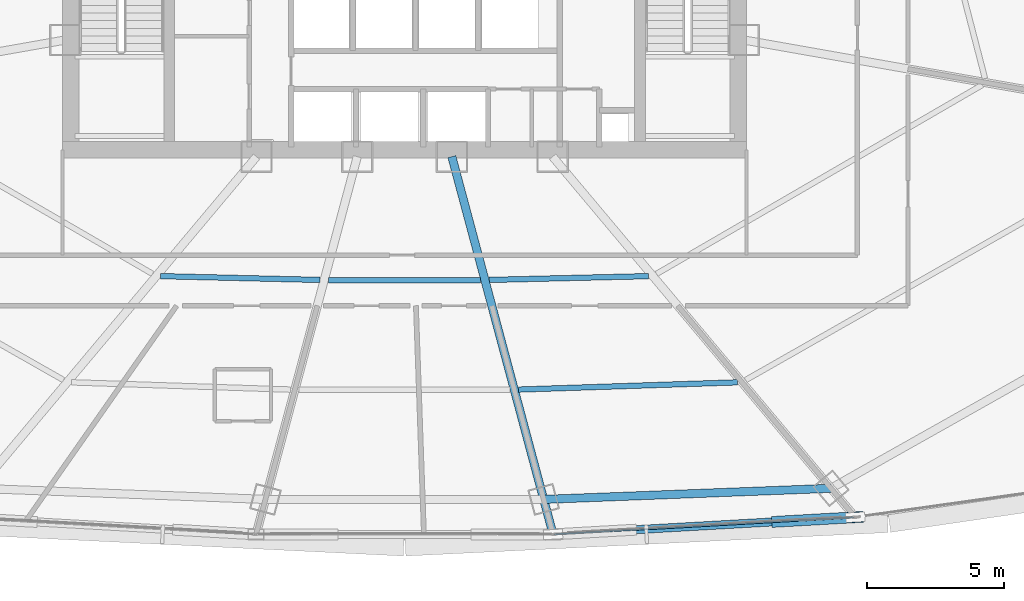
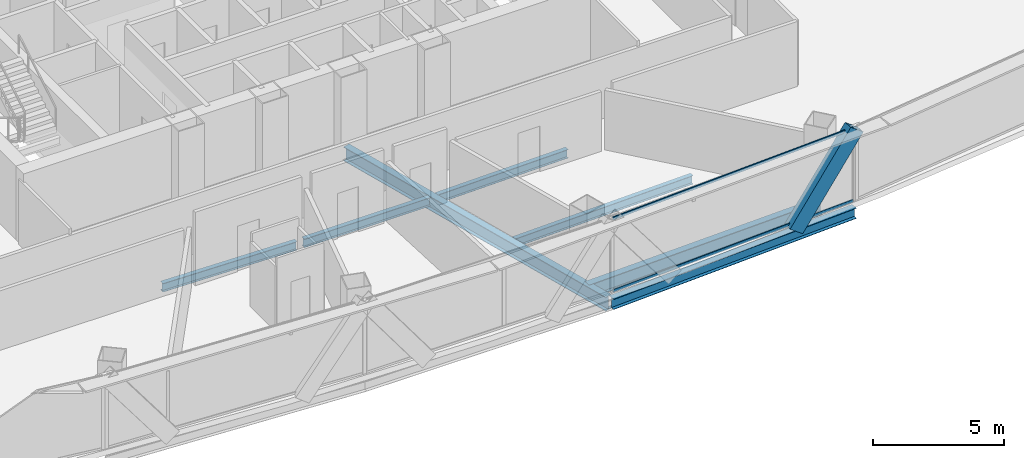
# One storey, part 13 of 41: 7 beams, 3 members, 1 element without a shape of its own.
"""IFC4 building model written with IfcOpenShell, lengths in metres."""

import ifcopenshell
import ifcopenshell.guid

model = None  # the IFC model being written
_history = None  # IfcOwnerHistory: only IFC2X3 demands one
_inside = {}  # id of a spatial element -> (the spatial element, [elements in it])
_under = {}  # id of a project, library or spatial element -> (it, [spatial elements below it])
_declared = {}  # id of a project -> (the project, [libraries it declares])
_typed = {}  # id of a type object -> (the type object, [elements of that type])
_made_of = {}  # id of a material, layer set ... -> (it, [elements and type objects made of it])


def new_model(schema):
    """Start an empty IFC model of exactly this schema.

    Asked for "IFC4X3", IfcOpenShell would pick the latest addendum, in which some entities
    have other attributes; the version numbers below select the first issue.
    IFC2X3 requires an IfcOwnerHistory on every rooted entity: one is made here for all.
    """
    global model, _history
    if schema == "IFC4X3":
        model = ifcopenshell.file(schema_version=(4, 3, 0, 0))
    else:
        model = ifcopenshell.file(schema=schema)
    _inside.clear()
    _under.clear()
    _declared.clear()
    _typed.clear()
    _made_of.clear()
    _history = None
    if model.schema == "IFC2X3":
        org = make("IfcOrganization", Name="unknown")
        user = make(
            "IfcPersonAndOrganization",
            ThePerson=make("IfcPerson", FamilyName="unknown"),
            TheOrganization=org,
        )
        app = make(
            "IfcApplication",
            ApplicationDeveloper=org,
            Version="unknown",
            ApplicationFullName="unknown",
            ApplicationIdentifier="unknown",
        )
        _history = make(
            "IfcOwnerHistory",
            OwningUser=user,
            OwningApplication=app,
            ChangeAction="ADDED",
            CreationDate=0,
        )
    return model


def make(cls, **values):
    """One entity of the class cls with the attributes given. An attribute that is None is left unset."""
    return model.create_entity(
        cls, **{name: value for name, value in values.items() if value is not None}
    )


def rooted(cls, **values):
    """An entity with a GlobalId (a new one), such as an element, a storey or a relation."""
    return make(cls, GlobalId=ifcopenshell.guid.new(), OwnerHistory=_history, **values)


def si_unit(unit_type, name, prefix=None):
    """IfcSIUnit, for example si_unit("LENGTHUNIT", "METRE", prefix="MILLI")."""
    return make("IfcSIUnit", UnitType=unit_type, Prefix=prefix, Name=name)


def assignment(units):
    """IfcUnitAssignment: the units of a project."""
    return None if units is None else make("IfcUnitAssignment", Units=units)


def point(xyz):
    """IfcCartesianPoint."""
    return None if xyz is None else make("IfcCartesianPoint", Coordinates=xyz)


def direction(xyz):
    """IfcDirection."""
    return None if xyz is None else make("IfcDirection", DirectionRatios=xyz)


def frame(location, z_axis=None, x_axis=None):
    """IfcAxis2Placement3D, a coordinate frame: its origin and axes. An axis left out is left unset."""
    return make(
        "IfcAxis2Placement3D",
        Location=point(location),
        Axis=direction(z_axis),
        RefDirection=direction(x_axis),
    )


def frame_2d(location, x_axis=None):
    """IfcAxis2Placement2D, a coordinate frame in the plane: its origin and x axis."""
    return make(
        "IfcAxis2Placement2D", Location=point(location), RefDirection=direction(x_axis)
    )


def origin():
    """The frame at (0, 0, 0) with its axes left unset."""
    return frame((0.0, 0.0, 0.0))


def origin_2d():
    """The frame at (0, 0) in the plane with its x axis left unset."""
    return frame_2d((0.0, 0.0))


def place(relative_to, where):
    """IfcLocalPlacement: puts the frame where relative to a parent placement (None: the world)."""
    return make(
        "IfcLocalPlacement", PlacementRelTo=relative_to, RelativePlacement=where
    )


def context(
    kind, dimensions, precision=None, world=None, true_north=None, identifier=None
):
    """IfcGeometricRepresentationContext, for example the 3D "Model" context."""
    return make(
        "IfcGeometricRepresentationContext",
        ContextIdentifier=identifier,
        ContextType=kind,
        CoordinateSpaceDimension=dimensions,
        Precision=precision,
        WorldCoordinateSystem=world,
        TrueNorth=true_north,
    )


def subcontext(parent, identifier, kind, view, scale=None):
    """IfcGeometricRepresentationSubContext, for example "Body" below "Model"."""
    return make(
        "IfcGeometricRepresentationSubContext",
        ContextIdentifier=identifier,
        ContextType=kind,
        ParentContext=parent,
        TargetScale=scale,
        TargetView=view,
    )


def project(units=None, contexts=None):
    """IfcProject with its units and contexts."""
    return rooted(
        "IfcProject",
        Name="project",
        RepresentationContexts=contexts,
        UnitsInContext=assignment(units),
    )


def spatial(cls, under=None, at=None, **own):
    """A site, building, storey or space (cls), placed at a placement, below another one or the project."""
    s = rooted(cls, ObjectPlacement=at, **own)
    if under is not None:
        _under.setdefault(under.id(), (under, []))[1].append(s)
    return s


def profile(cls, at=None, kind="AREA", **sizes):
    """A parametric profile (cls). Its sizes go by their IFC names, for example OverallWidth=200.0."""
    return make(cls, ProfileType=kind, Position=at, **sizes)


def hollow_rectangle(**sizes):
    """IfcRectangleHollowProfileDef."""
    return profile("IfcRectangleHollowProfileDef", **sizes)


def i_section(**sizes):
    """IfcIShapeProfileDef."""
    return profile("IfcIShapeProfileDef", **sizes)


def extrude(swept, where, along, depth):
    """IfcExtrudedAreaSolid: the profile swept, set in the frame where, extruded along a direction by depth."""
    return make(
        "IfcExtrudedAreaSolid",
        SweptArea=swept,
        Position=where,
        ExtrudedDirection=direction(along),
        Depth=depth,
    )


def shape(context_of_items, identifier, shape_type, items):
    """IfcShapeRepresentation: the items that make up one representation, for example the "Body"."""
    return make(
        "IfcShapeRepresentation",
        ContextOfItems=context_of_items,
        RepresentationIdentifier=identifier,
        RepresentationType=shape_type,
        Items=items,
    )


def source(mapping_origin, context_of_items, identifier, shape_type, items):
    """IfcRepresentationMap: a shape defined once, which mapped items show again and again."""
    return make(
        "IfcRepresentationMap",
        MappingOrigin=mapping_origin,
        MappedRepresentation=shape(context_of_items, identifier, shape_type, items),
    )


def transform(
    local_origin,
    x_axis=None,
    y_axis=None,
    z_axis=None,
    scale=None,
    scale2=None,
    scale3=None,
    uniform=True,
):
    """IfcCartesianTransformationOperator3D, or its non-uniform kind. x_axis, y_axis, z_axis: its Axis1, 2, 3."""
    if uniform:
        return make(
            "IfcCartesianTransformationOperator3D",
            Axis1=direction(x_axis),
            Axis2=direction(y_axis),
            LocalOrigin=point(local_origin),
            Scale=scale,
            Axis3=direction(z_axis),
        )
    return make(
        "IfcCartesianTransformationOperator3DnonUniform",
        Axis1=direction(x_axis),
        Axis2=direction(y_axis),
        LocalOrigin=point(local_origin),
        Scale=scale,
        Axis3=direction(z_axis),
        Scale2=scale2,
        Scale3=scale3,
    )


def mapped(mapping_source, mapping_target):
    """IfcMappedItem: shows the shape of a source again, moved by a transform."""
    return make(
        "IfcMappedItem", MappingSource=mapping_source, MappingTarget=mapping_target
    )


def material(Name=None, Category=None):
    """IfcMaterial."""
    return make("IfcMaterial", Name=Name, Category=Category)


def layer(
    of_material, thickness, ventilated=None, Name=None, Category=None, Priority=None
):
    """IfcMaterialLayer: one layer of a wall or slab, of a material (None: an air gap)."""
    return make(
        "IfcMaterialLayer",
        Material=of_material,
        LayerThickness=thickness,
        IsVentilated=ventilated,
        Name=Name,
        Category=Category,
        Priority=Priority,
    )


def layer_set(layers, Name=None):
    """IfcMaterialLayerSet."""
    return make("IfcMaterialLayerSet", MaterialLayers=layers, LayerSetName=Name)


def material_profile(
    of_material, cross_section, Name=None, Category=None, Priority=None
):
    """IfcMaterialProfile: a cross section and its material."""
    return make(
        "IfcMaterialProfile",
        Name=Name,
        Material=of_material,
        Profile=cross_section,
        Priority=Priority,
        Category=Category,
    )


def profile_set(profiles, Name=None, composite=None):
    """IfcMaterialProfileSet."""
    return make(
        "IfcMaterialProfileSet",
        Name=Name,
        MaterialProfiles=profiles,
        CompositeProfile=composite,
    )


def made_of(thing, what):
    """Note that an element or type object is made of a material, layer set ...; save() writes the relation."""
    if what is not None:
        _made_of.setdefault(what.id(), (what, []))[1].append(thing)
    return thing


def type_object(cls, material=None, **own):
    """A type object (cls), such as IfcWallType, which elements share."""
    return made_of(rooted(cls, **own), material)


def element(
    cls,
    number,
    at=None,
    inside=None,
    cuts=None,
    type_object=None,
    material=None,
    context=None,
    identifier="Body",
    shape_type=None,
    held_by="IfcProductDefinitionShape",
    body=None,
    shapes=None,
    **own,
):
    """One element of the class cls, such as IfcWall. Its Tag is "e" and its number.

    at: its placement. inside: the storey or other place that contains it. cuts: it is an
    opening in that element (IfcRelVoidsElement). A single representation is given by context,
    identifier, shape_type and body (its items); several are given by shapes. held_by: the class
    of the entity that holds the representations. save() writes the other relations.
    """
    e = rooted(cls, Tag="e%d" % number, ObjectPlacement=at, **own)
    if body is not None:
        shapes = [shape(context, identifier, shape_type, body)]
    if shapes is not None:
        e.Representation = make(held_by, Representations=shapes)
    if inside is not None:
        _inside.setdefault(inside.id(), (inside, []))[1].append(e)
    if cuts is not None:
        rooted(
            "IfcRelVoidsElement", RelatingBuildingElement=cuts, RelatedOpeningElement=e
        )
    if type_object is not None:
        _typed.setdefault(type_object.id(), (type_object, []))[1].append(e)
    return made_of(e, material)


def aggregate(whole, parts):
    """IfcRelAggregates: a whole, such as a stair, and the parts it consists of."""
    return rooted("IfcRelAggregates", RelatingObject=whole, RelatedObjects=parts)


def save(model, path):
    """Write the relations noted so far, then the file.

    IfcRelAggregates (storeys below a building ...), IfcRelContainedInSpatialStructure (elements
    in a storey), IfcRelDefinesByType, IfcRelAssociatesMaterial and IfcRelDeclares: one each for
    every whole, place, type object, material and project.
    """
    for whole, parts in _under.values():
        aggregate(whole, parts)
    for where, things in _inside.values():
        rooted(
            "IfcRelContainedInSpatialStructure",
            RelatedElements=things,
            RelatingStructure=where,
        )
    for kind, things in _typed.values():
        rooted("IfcRelDefinesByType", RelatedObjects=things, RelatingType=kind)
    for what, things in _made_of.values():
        rooted("IfcRelAssociatesMaterial", RelatedObjects=things, RelatingMaterial=what)
    for by, libraries in _declared.values():
        rooted("IfcRelDeclares", RelatingContext=by, RelatedDefinitions=libraries)
    model.write(path)


model = new_model("IFC4")

# Units and contexts
model_context = context("Model", 3, precision=1e-05, world=origin(), true_north=direction((0.0, 1.0)))
body_context = subcontext(model_context, "Body", "Model", "MODEL_VIEW")
ifc_project = project(units=[si_unit("LENGTHUNIT", "METRE"), si_unit("AREAUNIT", "SQUARE_METRE"), si_unit("VOLUMEUNIT", "CUBIC_METRE"), si_unit("PLANEANGLEUNIT", "RADIAN"), si_unit("MASSUNIT", "GRAM", prefix="KILO"), si_unit("THERMODYNAMICTEMPERATUREUNIT", "KELVIN"), si_unit("POWERUNIT", "WATT")], contexts=[model_context])

# Site, building, storey
site_placement = place(None, origin())
site = spatial("IfcSite", under=ifc_project, at=site_placement, CompositionType="ELEMENT")
building_placement = place(site_placement, origin())
building = spatial("IfcBuilding", under=site, at=building_placement, Name="Yunzhuo Pagoda Commons", CompositionType="ELEMENT")
storey_placement = place(building_placement, frame((0.0, 0.0, 155.590087890625)))
storey = spatial("IfcBuildingStorey", under=building, at=storey_placement, Name="L39", CompositionType="ELEMENT", Elevation=155.590087890625)

# Beams
ifc_material_1 = material(Name="Structural steel Q355B", Category="steel")
ifc_material_profile_1 = material_profile(ifc_material_1, i_section(OverallWidth=0.300048828125, OverallDepth=0.64990234375, WebThickness=0.012939453125, FlangeThickness=0.02197265625, at=origin_2d()), Name="Structural steel Q355B")
ifc_profile_set_1 = profile_set([ifc_material_profile_1], Name="Structural steel Q355B")
beam_type_1 = type_object("IfcBeamType", Name="B-RG2 Beam HN 650x300x13x22", PredefinedType="BEAM", material=ifc_profile_set_1)
shared_shape_1 = source(origin(), body_context, "Body", "SweptSolid", [
    extrude(i_section(OverallWidth=0.300048828125, OverallDepth=0.64990234375, WebThickness=0.012939453125, FlangeThickness=0.02197265625, at=origin_2d()), origin(), (0.0, 0.0, 1.0), 10.5078125),
])
beam_1_placement = place(storey_placement, frame((53.085205078125, 14.7216796875, -0.585205078125), z_axis=(0.999258632812, 0.03849915259, 0.0), x_axis=(-0.03849915259, 0.999258632812, 0.0)))
element("IfcBeam", 1, at=beam_1_placement, inside=storey, type_object=beam_type_1, Name="L39 column-ring beam 3", PredefinedType="BEAM", context=body_context, shape_type="MappedRepresentation", body=[
    mapped(shared_shape_1, transform((0.0, 0.0, 0.0), scale=1.0)),
])
ifc_material_profile_2 = material_profile(ifc_material_1, i_section(OverallWidth=0.199951171875, OverallDepth=0.39990234375, WebThickness=0.008056640625, FlangeThickness=0.012939453125, at=origin_2d()), Name="Structural steel Q355B")
ifc_profile_set_2 = profile_set([ifc_material_profile_2], Name="Structural steel Q355B")
beam_type_2 = type_object("IfcBeamType", Name="B-JS1 Joist HN 400x200x8x13", PredefinedType="JOIST", material=ifc_profile_set_2)
shared_shape_2 = source(origin(), body_context, "Body", "SweptSolid", [
    extrude(i_section(OverallWidth=0.199951171875, OverallDepth=0.39990234375, WebThickness=0.008056640625, FlangeThickness=0.012939453125, at=origin_2d()), origin(), (0.0, 0.0, 1.0), 5.821533203125),
])
for number, where, z_axis, x_axis, name in (
    (2, (39.08447265625, 22.881591796875, -0.460205078125), (0.999718239795, -0.023736912649, 0.0), (0.023736912649, 0.999718239795, 0.0), "L39 composite ring joist 1.1"),
    (3, (51.095703125, 22.743408203125, -0.460205078125), (0.999718239795, 0.023736912649, 0.0), (-0.023736912649, 0.999718239795, 0.0), "L39 composite ring joist 1.3"),
):
    element("IfcBeam", number, at=place(storey_placement, frame(where, z_axis=z_axis, x_axis=x_axis)), inside=storey, type_object=beam_type_2, Name=name, PredefinedType="JOIST", context=body_context, shape_type="MappedRepresentation", body=[
        mapped(shared_shape_2, transform((0.0, 0.0, 0.0), scale=1.0)),
    ])
shared_shape_3 = source(origin(), body_context, "Body", "SweptSolid", [
    extrude(i_section(OverallWidth=0.199951171875, OverallDepth=0.39990234375, WebThickness=0.008056640625, FlangeThickness=0.012939453125, at=origin_2d()), origin(), (0.0, 0.0, 1.0), 8.00537109375),
])
beam_2_placement = place(storey_placement, frame((52.169921875, 18.73583984375, -0.460205078125), z_axis=(0.999453403952, 0.033058937199, 0.0), x_axis=(-0.033058937199, 0.999453403952, 0.0)))
element("IfcBeam", 4, at=beam_2_placement, inside=storey, type_object=beam_type_2, Name="L39 composite ring joist 2.3", PredefinedType="JOIST", context=body_context, shape_type="MappedRepresentation", body=[
    mapped(shared_shape_3, transform((0.0, 0.0, 0.0), scale=1.0)),
])
shared_shape_4 = source(origin(), body_context, "Body", "SweptSolid", [
    extrude(i_section(OverallWidth=0.199951171875, OverallDepth=0.39990234375, WebThickness=0.008056640625, FlangeThickness=0.012939453125, at=origin_2d()), origin(), (0.0, 0.0, 1.0), 5.5556640625),
])
beam_3_placement = place(storey_placement, frame((45.22216796875, 22.73974609375, -0.460205078125), z_axis=(1.0, 0.0, 0.0), x_axis=(0.0, 1.0, 0.0)))
element("IfcBeam", 5, at=beam_3_placement, inside=storey, type_object=beam_type_2, Name="L39 composite ring joist 1.2", PredefinedType="JOIST", context=body_context, shape_type="MappedRepresentation", body=[
    mapped(shared_shape_4, transform((0.0, 0.0, 0.0), scale=1.0)),
])
shared_shape_5 = source(origin(), body_context, "Body", "SweptSolid", [
    extrude(i_section(OverallWidth=0.300048828125, OverallDepth=0.64990234375, WebThickness=0.012939453125, FlangeThickness=0.02197265625, at=origin_2d()), origin(), (0.0, 0.0, 1.0), 14.137939453125),
])
beam_4_placement = place(storey_placement, frame((53.387451171875, 13.59375, -0.585205078125), z_axis=(-0.258802836228, 0.965930169298, 0.0), x_axis=(-0.965930169298, -0.258802836228, 0.0)))
element("IfcBeam", 6, at=beam_4_placement, inside=storey, type_object=beam_type_1, Name="L39 radial floor girder F1C3", PredefinedType="BEAM", context=body_context, shape_type="MappedRepresentation", body=[
    mapped(shared_shape_5, transform((0.0, 0.0, 0.0), scale=1.0)),
])
ifc_material_profile_3 = material_profile(ifc_material_1, i_section(OverallWidth=0.300048828125, OverallDepth=0.488037109375, WebThickness=0.010986328125, FlangeThickness=0.01806640625, at=origin_2d()), Name="Structural steel Q355B")
ifc_profile_set_3 = profile_set([ifc_material_profile_3], Name="Structural steel Q355B")
beam_type_3 = type_object("IfcBeamType", Name="B-SP1 Beam HM 488x300x11x18", PredefinedType="BEAM", material=ifc_profile_set_3)
shared_shape_6 = source(origin(), body_context, "Body", "SweptSolid", [
    extrude(i_section(OverallWidth=0.300048828125, OverallDepth=0.488037109375, WebThickness=0.010986328125, FlangeThickness=0.01806640625, at=origin_2d()), origin(), (0.0, 0.0, 1.0), 11.06298828125),
])
beam_5_placement = place(storey_placement, frame((53.427490234375, 13.44384765625, -0.50390625), z_axis=(0.998402926244, 0.056494219778, 0.0), x_axis=(-0.056494219778, 0.998402926244, 0.0)))
element("IfcBeam", 7, at=beam_5_placement, inside=storey, type_object=beam_type_3, Name="L39 facade edge spandrel beam F1.3", PredefinedType="BEAM", context=body_context, shape_type="MappedRepresentation", body=[
    mapped(shared_shape_6, transform((0.0, 0.0, 0.0), scale=1.0)),
])

# Member
ifc_material_profile_4 = material_profile(ifc_material_1, hollow_rectangle(XDim=0.39990234375, YDim=0.719970703125, WallThickness=0.02392578125, at=origin_2d()), Name="Structural steel Q355B")
ifc_profile_set_4 = profile_set([ifc_material_profile_4], Name="Structural steel Q355B")
member_type_1 = type_object("IfcMemberType", Name="M-DL2 Brace BOX 720x400x24", PredefinedType="BRACE", material=ifc_profile_set_4)
shared_shape_7 = source(origin(), body_context, "Body", "SweptSolid", [
    extrude(hollow_rectangle(XDim=0.39990234375, YDim=0.719970703125, WallThickness=0.02392578125, at=origin_2d()), origin(), (0.0, 0.0, 1.0), 4.603515625),
])
member_1_placement = place(storey_placement, frame((61.71142578125, 13.91259765625, -0.260009765625), z_axis=(0.59986640331, 0.03394169376, 0.799379921942), x_axis=(-0.056491730434, 0.998403067099, 0.0)))
element("IfcMember", 8, at=member_1_placement, inside=storey, type_object=member_type_1, Name="L39 facade diamond brace F1.3R", PredefinedType="BRACE", context=body_context, shape_type="MappedRepresentation", body=[
    mapped(shared_shape_7, transform((0.0, 0.0, 0.0), scale=1.0)),
])

# Curtain wall, members
ifc_material_2 = material(Name="Anodized aluminium 6063-T6", Category="aluminium")
ifc_layer = layer(ifc_material_2, 0.14990234375)
ifc_layer_set = layer_set([ifc_layer], Name="Anodized aluminium 6063-T6")
curtain_wall_type = type_object("IfcCurtainWallType", Name="CW-MID Mid-Zone Ribbon Curtain Wall", PredefinedType="NOTDEFINED", material=ifc_layer_set)
curtain_wall_placement = place(storey_placement, origin())
curtain_wall = element("IfcCurtainWall", 9, at=curtain_wall_placement, inside=storey, type_object=curtain_wall_type, Name="L39 curtain wall CW-L39-F1B4", PredefinedType="NOTDEFINED")
ifc_material_profile_5 = material_profile(ifc_material_2, hollow_rectangle(XDim=0.054931640625, YDim=0.1298828125, WallThickness=0.00341796875, at=origin_2d()), Name="Anodized aluminium 6063-T6")
ifc_profile_set_5 = profile_set([ifc_material_profile_5], Name="Anodized aluminium 6063-T6")
member_type_2 = type_object("IfcMemberType", Name="CW-MID-T Transom RHS 130x55x3.5", PredefinedType="USERDEFINED", material=ifc_profile_set_5)
shared_shape_8 = source(origin(), body_context, "Body", "SweptSolid", [
    extrude(hollow_rectangle(XDim=0.054931640625, YDim=0.1298828125, WallThickness=0.00341796875, at=origin_2d()), origin(), (0.0, 0.0, 1.0), 10.94287109375),
])
member_2_placement = place(storey_placement, frame((53.487548828125, 13.447265625, 0.02734375), z_axis=(0.998403128064, 0.056490652967, 0.0), x_axis=(-0.056490652967, 0.998403128064, 0.0)))
member_2 = element("IfcMember", 10, at=member_2_placement, type_object=member_type_2, Name="CW transom 1.1", ObjectType="TRANSOM", PredefinedType="USERDEFINED", context=body_context, shape_type="MappedRepresentation", body=[
    mapped(shared_shape_8, transform((0.0, 0.0, 0.0), scale=1.0)),
])
member_3_placement = place(storey_placement, frame((53.487548828125, 13.447265625, 3.392333984375), z_axis=(0.998403128064, 0.056490652967, 0.0), x_axis=(-0.056490652967, 0.998403128064, 0.0)))
member_3 = element("IfcMember", 11, at=member_3_placement, type_object=member_type_2, Name="CW transom 1.2", ObjectType="TRANSOM", PredefinedType="USERDEFINED", context=body_context, shape_type="MappedRepresentation", body=[
    mapped(shared_shape_8, transform((0.0, 0.0, 0.0), scale=1.0)),
])
aggregate(curtain_wall, [member_2, member_3])

save(model, "model.ifc")
